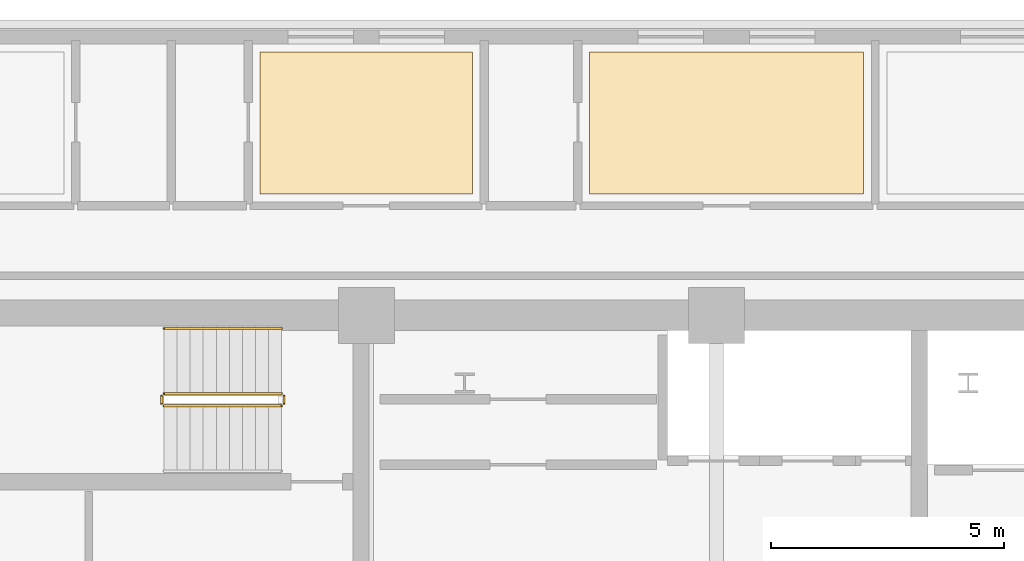
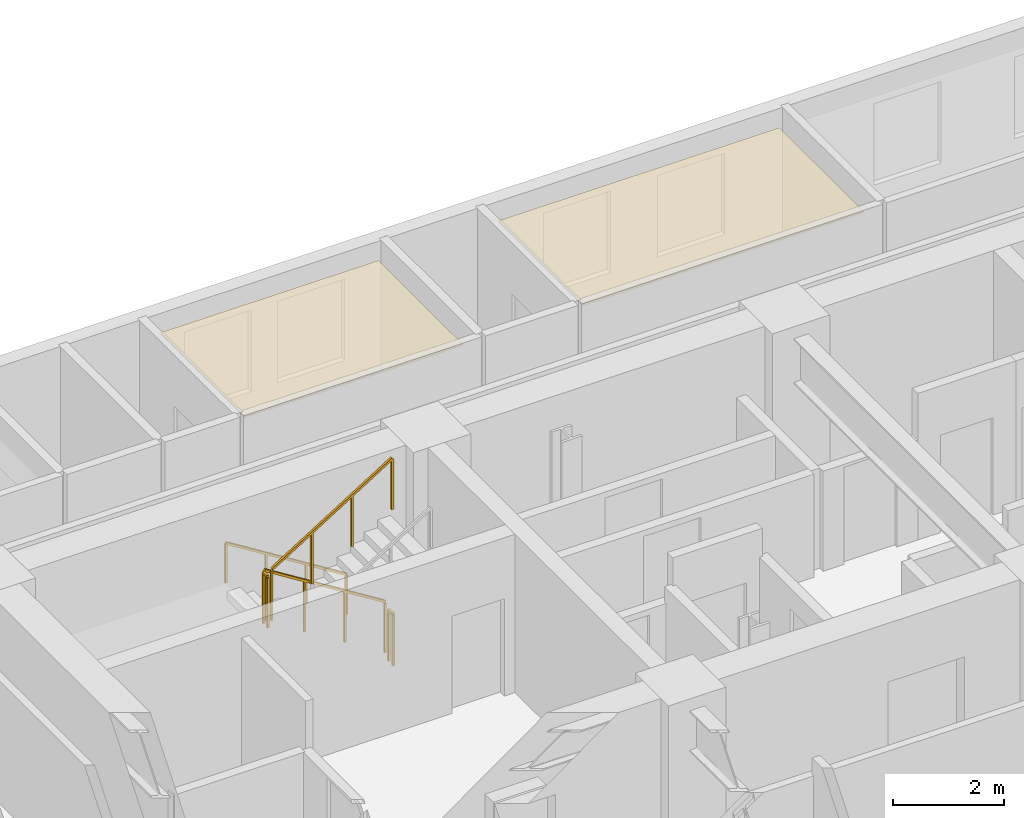
# One storey, part 15 of 16: 5 railings, 2 coverings.
"""IFC4 building model written with IfcOpenShell, lengths in metres."""

from ifc_helpers import new_model, si_unit, direction, frame, origin, origin_2d, place, context, subcontext, project, spatial, polyline, rectangle, outline, extrude, material, layer, layer_set, type_object, element, save


model = new_model("IFC4")

# Units and contexts
model_context = context("Model", 3, precision=1e-05, world=origin(), true_north=direction((0.0, 1.0)))
body_context = subcontext(model_context, "Body", "Model", "MODEL_VIEW")
ifc_project = project(units=[si_unit("LENGTHUNIT", "METRE"), si_unit("AREAUNIT", "SQUARE_METRE"), si_unit("VOLUMEUNIT", "CUBIC_METRE"), si_unit("PLANEANGLEUNIT", "RADIAN"), si_unit("MASSUNIT", "GRAM", prefix="KILO")], contexts=[model_context])

# Site, building, storey
site_placement = place(None, origin())
site = spatial("IfcSite", under=ifc_project, at=site_placement, CompositionType="ELEMENT")
building_placement = place(site_placement, origin())
building = spatial("IfcBuilding", under=site, at=building_placement, Name="Zarnavel Station Tower", CompositionType="ELEMENT")
storey_placement = place(building_placement, frame((0.0, 0.0, 94.300048828125)))
storey = spatial("IfcBuildingStorey", under=building, at=storey_placement, Name="L25", CompositionType="ELEMENT", Elevation=94.300048828125)

# Coverings
ifc_material_1 = material(Name="Perforated Gypsum and Mineral-Wool Acoustic Ceiling", Category="concrete")
ifc_layer = layer(ifc_material_1, 0.0400390625)
ifc_layer_set = layer_set([ifc_layer], Name="COV_CEIL_ACOUSTIC")
covering_type = type_object("IfcCoveringType", Name="COV_CEIL_ACOUSTIC", PredefinedType="CEILING", material=ifc_layer_set)
covering_1_placement = place(storey_placement, frame((0.0, 0.0, 2.919921875)))
element("IfcCovering", 1, at=covering_1_placement, inside=storey, type_object=covering_type, Name="L25 HN2R Acoustic Ceiling", PredefinedType="CEILING", context=body_context, shape_type="SweptSolid", body=[
    extrude(outline(polyline([(19.01611328125, 39.64990234375), (23.570068359375, 39.64990234375), (23.570068359375, 42.68994140625), (19.01611328125, 42.68994140625), (19.01611328125, 39.64990234375)])), origin(), (0.0, 0.0, 1.0), 0.0400390625),
])
covering_2_placement = place(storey_placement, frame((0.0, 0.0, 2.919921875)))
element("IfcCovering", 2, at=covering_2_placement, inside=storey, type_object=covering_type, Name="L25 HN3R Acoustic Ceiling", PredefinedType="CEILING", context=body_context, shape_type="SweptSolid", body=[
    extrude(outline(polyline([(26.0810546875, 39.64990234375), (31.949951171875, 39.64990234375), (31.949951171875, 42.68994140625), (26.0810546875, 42.68994140625), (26.0810546875, 39.64990234375)])), origin(), (0.0, 0.0, 1.0), 0.0400390625),
])

# Railings
ifc_material_2 = material(Name="Painted Steel S355J2 Balustrade", Category="steel")
railing_type_1 = type_object("IfcRailingType", Name="GR_INT_1150", PredefinedType="GUARDRAIL", material=ifc_material_2)
railing_1_placement = place(storey_placement, frame((19.47998046875, 35.3701171875, 0.175048828125)))
element("IfcRailing", 3, at=railing_1_placement, inside=storey, type_object=railing_type_1, Name="L25 ST1 stair guard 1", PredefinedType="GUARDRAIL", context=body_context, shape_type="SweptSolid", body=[
    extrude(rectangle(XDim=0.048095703125, YDim=0.048095703125, at=origin_2d()), frame((-0.001708984375, 0.0, 1.126953125), z_axis=(-0.848007534815, 0.0, 0.529984170421), x_axis=(0.0, -1.0, 0.0)), (0.0, 0.0, 1.0), 2.9677734375),
    extrude(rectangle(XDim=0.0419921875, YDim=0.0419921875, at=origin_2d()), origin(), (0.0, 0.0, 1.0), 1.101806640625),
    extrude(rectangle(XDim=0.0419921875, YDim=0.0419921875, at=origin_2d()), frame((-0.840087890625, 0.0, 0.52490234375)), (0.0, 0.0, 1.0), 1.101806640625),
    extrude(rectangle(XDim=0.0419921875, YDim=0.0419921875, at=origin_2d()), frame((-1.679931640625, 0.0, 1.050048828125)), (0.0, 0.0, 1.0), 1.101806640625),
    extrude(rectangle(XDim=0.0419921875, YDim=0.0419921875, at=origin_2d()), frame((-2.52001953125, 0.0, 1.574951171875)), (0.0, 0.0, 1.0), 1.101806640625),
])
railing_2_placement = place(storey_placement, frame((16.909912109375, 35.320068359375, 1.75)))
element("IfcRailing", 4, at=railing_2_placement, inside=storey, type_object=railing_type_1, Name="L25 ST1 stair guard 2", PredefinedType="GUARDRAIL", context=body_context, shape_type="SweptSolid", body=[
    extrude(rectangle(XDim=0.048095703125, YDim=0.048095703125, at=origin_2d()), frame((0.0, -0.001953125, 1.1259765625), z_axis=(0.0, -1.0, 0.0), x_axis=(1.0, 0.0, 0.0)), (0.0, 0.0, 1.0), 0.15625),
    extrude(rectangle(XDim=0.0419921875, YDim=0.0419921875, at=origin_2d()), origin(), (0.0, 0.0, 1.0), 1.101806640625),
    extrude(rectangle(XDim=0.0419921875, YDim=0.0419921875, at=origin_2d()), frame((0.0, -0.16015625, 0.0)), (0.0, 0.0, 1.0), 1.101806640625),
])
railing_3_placement = place(storey_placement, frame((16.9599609375, 35.110107421875, 1.925048828125)))
element("IfcRailing", 5, at=railing_3_placement, inside=storey, type_object=railing_type_1, Name="L25 ST1 stair guard 3", PredefinedType="GUARDRAIL", context=body_context, shape_type="SweptSolid", body=[
    extrude(rectangle(XDim=0.048095703125, YDim=0.048095703125, at=origin_2d()), frame((0.001708984375, 0.0, 1.126953125), z_axis=(0.848007534815, 0.0, 0.529984170421), x_axis=(0.0, 1.0, 0.0)), (0.0, 0.0, 1.0), 2.9677734375),
    extrude(rectangle(XDim=0.0419921875, YDim=0.0419921875, at=origin_2d()), origin(), (0.0, 0.0, 1.0), 1.101806640625),
    extrude(rectangle(XDim=0.0419921875, YDim=0.0419921875, at=origin_2d()), frame((0.840087890625, 0.0, 0.52490234375)), (0.0, 0.0, 1.0), 1.101806640625),
    extrude(rectangle(XDim=0.0419921875, YDim=0.0419921875, at=origin_2d()), frame((1.679931640625, 0.0, 1.050048828125)), (0.0, 0.0, 1.0), 1.101806640625),
    extrude(rectangle(XDim=0.0419921875, YDim=0.0419921875, at=origin_2d()), frame((2.52001953125, 0.0, 1.574951171875)), (0.0, 0.0, 1.0), 1.101806640625),
])
railing_4_placement = place(storey_placement, frame((19.530029296875, 35.320068359375, 0.0)))
element("IfcRailing", 6, at=railing_4_placement, inside=storey, type_object=railing_type_1, Name="L25 ST1 stair guard 4", PredefinedType="GUARDRAIL", context=body_context, shape_type="SweptSolid", body=[
    extrude(rectangle(XDim=0.048095703125, YDim=0.048095703125, at=origin_2d()), frame((0.0, -0.001953125, 1.1259765625), z_axis=(0.0, -1.0, 0.0), x_axis=(1.0, 0.0, 0.0)), (0.0, 0.0, 1.0), 0.15625),
    extrude(rectangle(XDim=0.0419921875, YDim=0.0419921875, at=origin_2d()), origin(), (0.0, 0.0, 1.0), 1.101806640625),
    extrude(rectangle(XDim=0.0419921875, YDim=0.0419921875, at=origin_2d()), frame((0.0, -0.16015625, 0.0)), (0.0, 0.0, 1.0), 1.101806640625),
])
ifc_material_3 = material(Name="Brushed Stainless Steel S355J2 Handrail", Category="steel")
railing_type_2 = type_object("IfcRailingType", Name="HR_STAIR_900", PredefinedType="HANDRAIL", material=ifc_material_3)
railing_5_placement = place(storey_placement, frame((19.47998046875, 36.77001953125, 0.175048828125)))
element("IfcRailing", 7, at=railing_5_placement, inside=storey, type_object=railing_type_2, Name="L25 ST1 stair handrail 1", PredefinedType="HANDRAIL", context=body_context, shape_type="SweptSolid", body=[
    extrude(rectangle(XDim=0.048095703125, YDim=0.048095703125, at=origin_2d()), frame((-0.001708984375, 0.0, 0.876953125), z_axis=(-0.848007534815, 0.0, 0.529984170421), x_axis=(0.0, -1.0, 0.0)), (0.0, 0.0, 1.0), 2.9677734375),
    extrude(rectangle(XDim=0.0419921875, YDim=0.0419921875, at=origin_2d()), origin(), (0.0, 0.0, 1.0), 0.851806640625),
    extrude(rectangle(XDim=0.0419921875, YDim=0.0419921875, at=origin_2d()), frame((-0.840087890625, 0.0, 0.52490234375)), (0.0, 0.0, 1.0), 0.851806640625),
    extrude(rectangle(XDim=0.0419921875, YDim=0.0419921875, at=origin_2d()), frame((-1.679931640625, 0.0, 1.050048828125)), (0.0, 0.0, 1.0), 0.851806640625),
    extrude(rectangle(XDim=0.0419921875, YDim=0.0419921875, at=origin_2d()), frame((-2.52001953125, 0.0, 1.574951171875)), (0.0, 0.0, 1.0), 0.851806640625),
])

save(model, "model.ifc")
